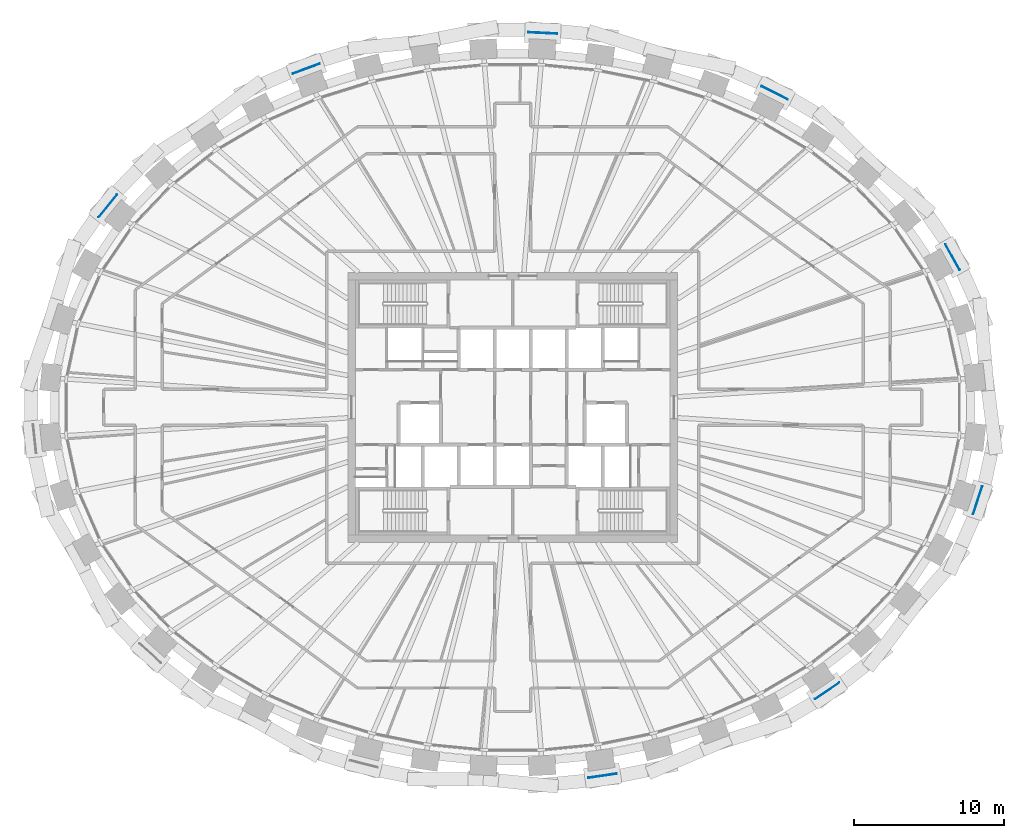
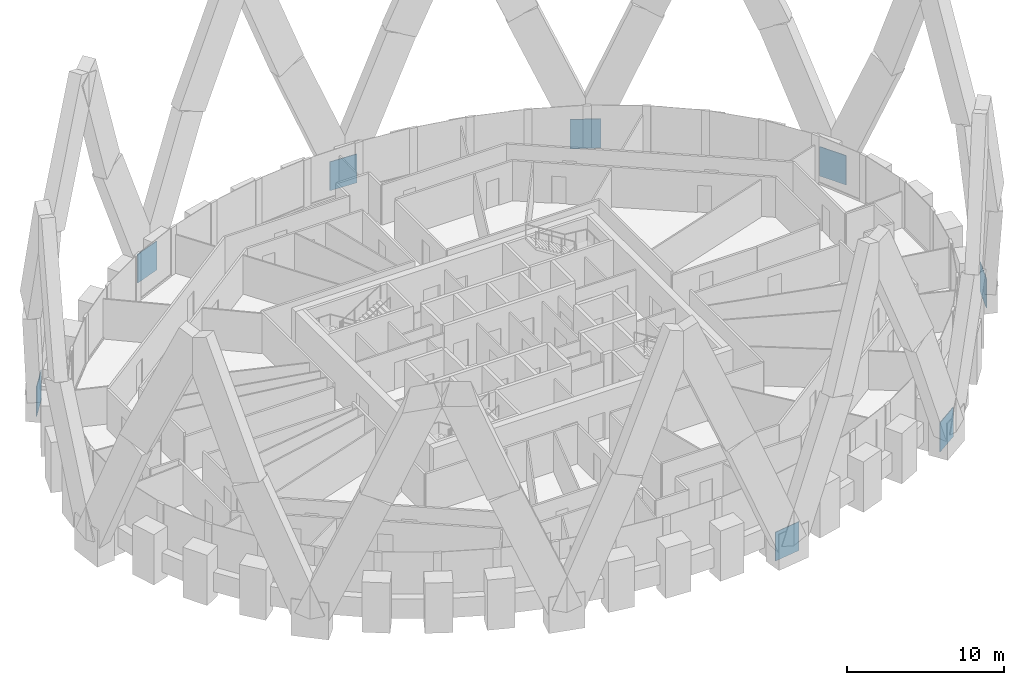
# One storey, part 13 of 14: 8 discrete accessories.
"""IFC4 building model written with IfcOpenShell, lengths in metres."""

from ifc_helpers import new_model, si_unit, direction, frame, origin, origin_2d, place, context, subcontext, project, spatial, rectangle, extrude, source, transform, mapped, material, type_object, element, save


model = new_model("IFC4")

# Units and contexts
model_context = context("Model", 3, precision=1e-05, world=origin(), true_north=direction((0.0, 1.0)))
body_context = subcontext(model_context, "Body", "Model", "MODEL_VIEW")
ifc_project = project(units=[si_unit("LENGTHUNIT", "METRE"), si_unit("AREAUNIT", "SQUARE_METRE"), si_unit("VOLUMEUNIT", "CUBIC_METRE"), si_unit("PLANEANGLEUNIT", "RADIAN"), si_unit("MASSUNIT", "GRAM", prefix="KILO")], contexts=[model_context])

# Site, building, storey
site_placement = place(None, origin())
site = spatial("IfcSite", under=ifc_project, at=site_placement, CompositionType="ELEMENT")
building_placement = place(site_placement, origin())
building = spatial("IfcBuilding", under=site, at=building_placement, Name="Embergate Tower", CompositionType="ELEMENT")
storey_placement = place(building_placement, frame((0.0, 0.0, 297.39990234375)))
storey = spatial("IfcBuildingStorey", under=building, at=storey_placement, Name="L69", CompositionType="ELEMENT", Elevation=297.39990234375)

# Discrete accessories
ifc_material = material(Name="Steel Q355D plate", Category="steel")
discrete_accessory_type = type_object("IfcDiscreteAccessoryType", Name="Lattice node plate", PredefinedType="USERDEFINED", material=ifc_material)
shared_shape_1 = source(origin(), body_context, "Body", "SweptSolid", [
    extrude(rectangle(XDim=1.9599609375, YDim=0.050048828125, at=origin_2d()), origin(), (0.0, 0.0, 1.0), 2.280029296875),
])
for number, where, z_axis, x_axis, name in (
    (1, (29.322998046875, 10.012939453125, -1.14013671875), (0.0, 0.0, 1.0), (-0.486823311018, 0.873500465855, 0.0), "Node plate"),
    (2, (17.462890625, 20.962890625, -1.14013671875), (0.0, 0.0, 1.0), (-0.891505174089, 0.453010512651, 0.0), "Node plate"),
    (3, (-26.9990234375, 13.43310546875, -1.14013671875), (0.0, 0.0, 1.0), (-0.630824786022, -0.775925311702, 0.0), "Node plate"),
    (4, (20.9560546875, -18.908935546875, -1.14013671875), (0.0, 0.0, 1.0), (0.828226643109, 0.560393279442, 0.0), "Node plate"),
    (5, (30.99609375, -6.197021484375, -1.14013671875), (0.0, 0.0, 1.0), (0.309946394413, 0.950754033697, 0.0), "Node plate"),
):
    element("IfcDiscreteAccessory", number, at=place(storey_placement, frame(where, z_axis=z_axis, x_axis=x_axis)), inside=storey, type_object=discrete_accessory_type, Name=name, ObjectType="BRACKET", PredefinedType="USERDEFINED", context=body_context, shape_type="MappedRepresentation", body=[
        mapped(shared_shape_1, transform((0.0, 0.0, 0.0))),
    ])
shared_shape_2 = source(origin(), body_context, "Body", "SweptSolid", [
    extrude(rectangle(XDim=1.919921875, YDim=0.050048828125, at=origin_2d()), origin(), (0.0, 0.0, 1.0), 2.239990234375),
])
for number, where, z_axis, x_axis, name in (
    (6, (2.0029296875, 24.95703125, -1.1201171875), (0.0, 0.0, 1.0), (-0.998807841912, 0.048814904854, 0.0), "Node plate"),
    (7, (-13.76611328125, 22.580078125, -1.1201171875), (0.0, 0.0, 1.0), (-0.93736713373, -0.348343015724, 0.0), "Node plate"),
    (8, (5.991943359375, -24.56494140625, -1.1201171875), (0.0, 0.0, 1.0), (0.989147039346, 0.146929011949, 0.0), "Node plate"),
):
    element("IfcDiscreteAccessory", number, at=place(storey_placement, frame(where, z_axis=z_axis, x_axis=x_axis)), inside=storey, type_object=discrete_accessory_type, Name=name, ObjectType="BRACKET", PredefinedType="USERDEFINED", context=body_context, shape_type="MappedRepresentation", body=[
        mapped(shared_shape_2, transform((0.0, 0.0, 0.0))),
    ])

save(model, "model.ifc")
